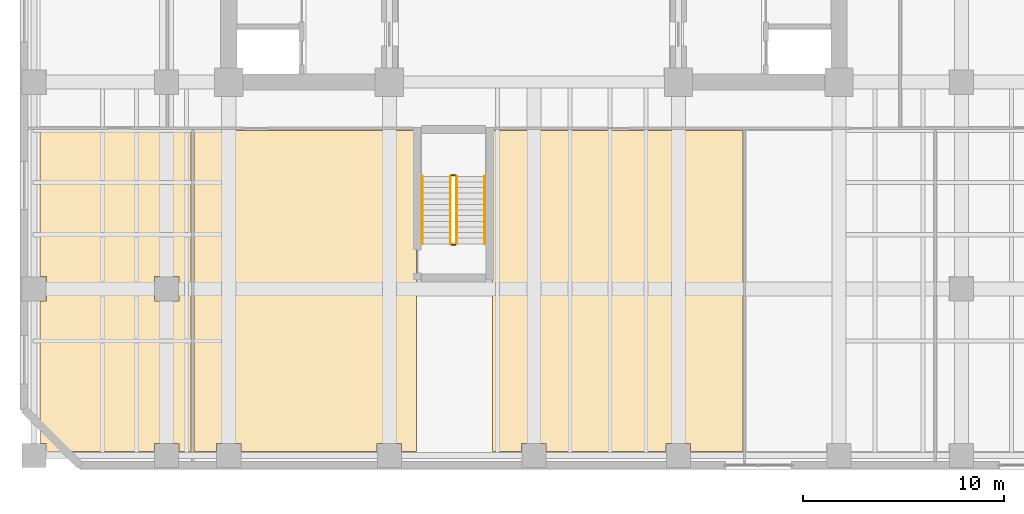
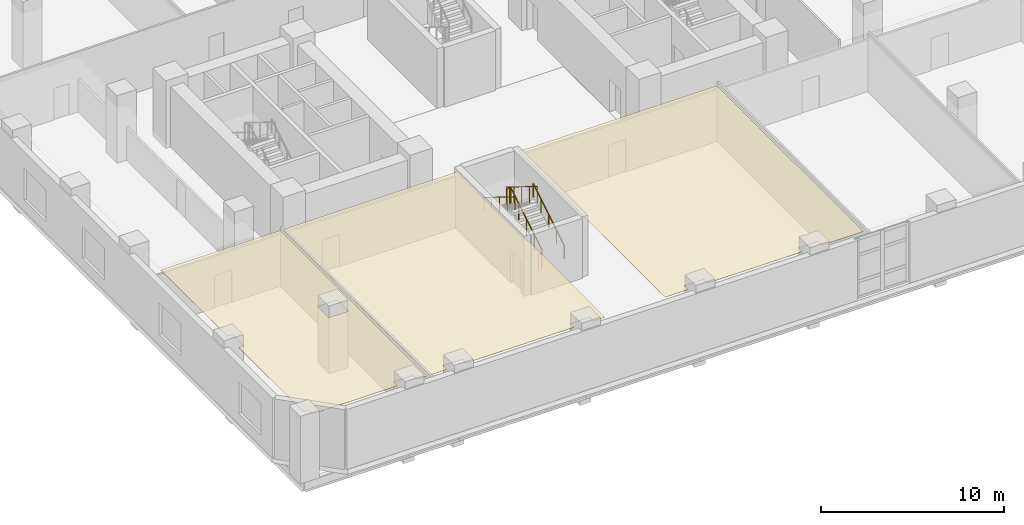
# One storey, part 10 of 15: 6 railings, 3 coverings.
"""IFC4 building model written with IfcOpenShell, lengths in metres."""

import ifcopenshell
import ifcopenshell.guid

model = None  # the IFC model being written
_history = None  # IfcOwnerHistory: only IFC2X3 demands one
_inside = {}  # id of a spatial element -> (the spatial element, [elements in it])
_under = {}  # id of a project, library or spatial element -> (it, [spatial elements below it])
_declared = {}  # id of a project -> (the project, [libraries it declares])
_typed = {}  # id of a type object -> (the type object, [elements of that type])
_made_of = {}  # id of a material, layer set ... -> (it, [elements and type objects made of it])


def new_model(schema):
    """Start an empty IFC model of exactly this schema.

    Asked for "IFC4X3", IfcOpenShell would pick the latest addendum, in which some entities
    have other attributes; the version numbers below select the first issue.
    IFC2X3 requires an IfcOwnerHistory on every rooted entity: one is made here for all.
    """
    global model, _history
    if schema == "IFC4X3":
        model = ifcopenshell.file(schema_version=(4, 3, 0, 0))
    else:
        model = ifcopenshell.file(schema=schema)
    _inside.clear()
    _under.clear()
    _declared.clear()
    _typed.clear()
    _made_of.clear()
    _history = None
    if model.schema == "IFC2X3":
        org = make("IfcOrganization", Name="unknown")
        user = make(
            "IfcPersonAndOrganization",
            ThePerson=make("IfcPerson", FamilyName="unknown"),
            TheOrganization=org,
        )
        app = make(
            "IfcApplication",
            ApplicationDeveloper=org,
            Version="unknown",
            ApplicationFullName="unknown",
            ApplicationIdentifier="unknown",
        )
        _history = make(
            "IfcOwnerHistory",
            OwningUser=user,
            OwningApplication=app,
            ChangeAction="ADDED",
            CreationDate=0,
        )
    return model


def make(cls, **values):
    """One entity of the class cls with the attributes given. An attribute that is None is left unset."""
    return model.create_entity(
        cls, **{name: value for name, value in values.items() if value is not None}
    )


def rooted(cls, **values):
    """An entity with a GlobalId (a new one), such as an element, a storey or a relation."""
    return make(cls, GlobalId=ifcopenshell.guid.new(), OwnerHistory=_history, **values)


def si_unit(unit_type, name, prefix=None):
    """IfcSIUnit, for example si_unit("LENGTHUNIT", "METRE", prefix="MILLI")."""
    return make("IfcSIUnit", UnitType=unit_type, Prefix=prefix, Name=name)


def assignment(units):
    """IfcUnitAssignment: the units of a project."""
    return None if units is None else make("IfcUnitAssignment", Units=units)


def point(xyz):
    """IfcCartesianPoint."""
    return None if xyz is None else make("IfcCartesianPoint", Coordinates=xyz)


def direction(xyz):
    """IfcDirection."""
    return None if xyz is None else make("IfcDirection", DirectionRatios=xyz)


def frame(location, z_axis=None, x_axis=None):
    """IfcAxis2Placement3D, a coordinate frame: its origin and axes. An axis left out is left unset."""
    return make(
        "IfcAxis2Placement3D",
        Location=point(location),
        Axis=direction(z_axis),
        RefDirection=direction(x_axis),
    )


def frame_2d(location, x_axis=None):
    """IfcAxis2Placement2D, a coordinate frame in the plane: its origin and x axis."""
    return make(
        "IfcAxis2Placement2D", Location=point(location), RefDirection=direction(x_axis)
    )


def origin():
    """The frame at (0, 0, 0) with its axes left unset."""
    return frame((0.0, 0.0, 0.0))


def origin_2d():
    """The frame at (0, 0) in the plane with its x axis left unset."""
    return frame_2d((0.0, 0.0))


def place(relative_to, where):
    """IfcLocalPlacement: puts the frame where relative to a parent placement (None: the world)."""
    return make(
        "IfcLocalPlacement", PlacementRelTo=relative_to, RelativePlacement=where
    )


def context(
    kind, dimensions, precision=None, world=None, true_north=None, identifier=None
):
    """IfcGeometricRepresentationContext, for example the 3D "Model" context."""
    return make(
        "IfcGeometricRepresentationContext",
        ContextIdentifier=identifier,
        ContextType=kind,
        CoordinateSpaceDimension=dimensions,
        Precision=precision,
        WorldCoordinateSystem=world,
        TrueNorth=true_north,
    )


def subcontext(parent, identifier, kind, view, scale=None):
    """IfcGeometricRepresentationSubContext, for example "Body" below "Model"."""
    return make(
        "IfcGeometricRepresentationSubContext",
        ContextIdentifier=identifier,
        ContextType=kind,
        ParentContext=parent,
        TargetScale=scale,
        TargetView=view,
    )


def project(units=None, contexts=None):
    """IfcProject with its units and contexts."""
    return rooted(
        "IfcProject",
        Name="project",
        RepresentationContexts=contexts,
        UnitsInContext=assignment(units),
    )


def spatial(cls, under=None, at=None, **own):
    """A site, building, storey or space (cls), placed at a placement, below another one or the project."""
    s = rooted(cls, ObjectPlacement=at, **own)
    if under is not None:
        _under.setdefault(under.id(), (under, []))[1].append(s)
    return s


def polyline(points):
    """IfcPolyline through the points."""
    return make("IfcPolyline", Points=[point(p) for p in points])


def profile(cls, at=None, kind="AREA", **sizes):
    """A parametric profile (cls). Its sizes go by their IFC names, for example OverallWidth=200.0."""
    return make(cls, ProfileType=kind, Position=at, **sizes)


def circle(**sizes):
    """IfcCircleProfileDef."""
    return profile("IfcCircleProfileDef", **sizes)


def outline(outer, holes=None, kind="AREA"):
    """IfcArbitraryClosedProfileDef: a profile drawn as a closed curve; with holes, ...WithVoids."""
    if holes is None:
        return make("IfcArbitraryClosedProfileDef", ProfileType=kind, OuterCurve=outer)
    return make(
        "IfcArbitraryProfileDefWithVoids",
        ProfileType=kind,
        OuterCurve=outer,
        InnerCurves=holes,
    )


def extrude(swept, where, along, depth):
    """IfcExtrudedAreaSolid: the profile swept, set in the frame where, extruded along a direction by depth."""
    return make(
        "IfcExtrudedAreaSolid",
        SweptArea=swept,
        Position=where,
        ExtrudedDirection=direction(along),
        Depth=depth,
    )


def shape(context_of_items, identifier, shape_type, items):
    """IfcShapeRepresentation: the items that make up one representation, for example the "Body"."""
    return make(
        "IfcShapeRepresentation",
        ContextOfItems=context_of_items,
        RepresentationIdentifier=identifier,
        RepresentationType=shape_type,
        Items=items,
    )


def material(Name=None, Category=None):
    """IfcMaterial."""
    return make("IfcMaterial", Name=Name, Category=Category)


def layer(
    of_material, thickness, ventilated=None, Name=None, Category=None, Priority=None
):
    """IfcMaterialLayer: one layer of a wall or slab, of a material (None: an air gap)."""
    return make(
        "IfcMaterialLayer",
        Material=of_material,
        LayerThickness=thickness,
        IsVentilated=ventilated,
        Name=Name,
        Category=Category,
        Priority=Priority,
    )


def layer_set(layers, Name=None):
    """IfcMaterialLayerSet."""
    return make("IfcMaterialLayerSet", MaterialLayers=layers, LayerSetName=Name)


def made_of(thing, what):
    """Note that an element or type object is made of a material, layer set ...; save() writes the relation."""
    if what is not None:
        _made_of.setdefault(what.id(), (what, []))[1].append(thing)
    return thing


def type_object(cls, material=None, **own):
    """A type object (cls), such as IfcWallType, which elements share."""
    return made_of(rooted(cls, **own), material)


def element(
    cls,
    number,
    at=None,
    inside=None,
    cuts=None,
    type_object=None,
    material=None,
    context=None,
    identifier="Body",
    shape_type=None,
    held_by="IfcProductDefinitionShape",
    body=None,
    shapes=None,
    **own,
):
    """One element of the class cls, such as IfcWall. Its Tag is "e" and its number.

    at: its placement. inside: the storey or other place that contains it. cuts: it is an
    opening in that element (IfcRelVoidsElement). A single representation is given by context,
    identifier, shape_type and body (its items); several are given by shapes. held_by: the class
    of the entity that holds the representations. save() writes the other relations.
    """
    e = rooted(cls, Tag="e%d" % number, ObjectPlacement=at, **own)
    if body is not None:
        shapes = [shape(context, identifier, shape_type, body)]
    if shapes is not None:
        e.Representation = make(held_by, Representations=shapes)
    if inside is not None:
        _inside.setdefault(inside.id(), (inside, []))[1].append(e)
    if cuts is not None:
        rooted(
            "IfcRelVoidsElement", RelatingBuildingElement=cuts, RelatedOpeningElement=e
        )
    if type_object is not None:
        _typed.setdefault(type_object.id(), (type_object, []))[1].append(e)
    return made_of(e, material)


def aggregate(whole, parts):
    """IfcRelAggregates: a whole, such as a stair, and the parts it consists of."""
    return rooted("IfcRelAggregates", RelatingObject=whole, RelatedObjects=parts)


def save(model, path):
    """Write the relations noted so far, then the file.

    IfcRelAggregates (storeys below a building ...), IfcRelContainedInSpatialStructure (elements
    in a storey), IfcRelDefinesByType, IfcRelAssociatesMaterial and IfcRelDeclares: one each for
    every whole, place, type object, material and project.
    """
    for whole, parts in _under.values():
        aggregate(whole, parts)
    for where, things in _inside.values():
        rooted(
            "IfcRelContainedInSpatialStructure",
            RelatedElements=things,
            RelatingStructure=where,
        )
    for kind, things in _typed.values():
        rooted("IfcRelDefinesByType", RelatedObjects=things, RelatingType=kind)
    for what, things in _made_of.values():
        rooted("IfcRelAssociatesMaterial", RelatedObjects=things, RelatingMaterial=what)
    for by, libraries in _declared.values():
        rooted("IfcRelDeclares", RelatingContext=by, RelatedDefinitions=libraries)
    model.write(path)


model = new_model("IFC4")

# Units and contexts
model_context = context("Model", 3, precision=1e-05, world=origin(), true_north=direction((0.0, 1.0)))
body_context = subcontext(model_context, "Body", "Model", "MODEL_VIEW")
ifc_project = project(units=[si_unit("LENGTHUNIT", "METRE"), si_unit("AREAUNIT", "SQUARE_METRE"), si_unit("VOLUMEUNIT", "CUBIC_METRE"), si_unit("PLANEANGLEUNIT", "RADIAN"), si_unit("MASSUNIT", "GRAM", prefix="KILO")], contexts=[model_context])

# Site, building, storey
site_placement = place(None, origin())
site = spatial("IfcSite", under=ifc_project, at=site_placement, CompositionType="ELEMENT")
building_placement = place(site_placement, origin())
building = spatial("IfcBuilding", under=site, at=building_placement, Name="Kranthara Brick Stack", CompositionType="ELEMENT")
storey_placement = place(building_placement, frame((0.0, 0.0, 14.39990234375)))
storey = spatial("IfcBuildingStorey", under=building, at=storey_placement, Name="L03", CompositionType="ELEMENT", Elevation=14.39990234375)

# Coverings
ifc_material_1 = material(Name="Perforated mineral-fibre acoustic ceiling tile", Category="other")
ifc_layer = layer(ifc_material_1, 0.02490234375)
ifc_layer_set = layer_set([ifc_layer], Name="Perforated mineral-fibre acoustic ceiling tile")
covering_type = type_object("IfcCoveringType", Name="COV-CEIL-ACOUSTIC", PredefinedType="CEILING", material=ifc_layer_set)
covering_1_placement = place(storey_placement, frame((0.0, 0.0, 3.72998046875)))
element("IfcCovering", 1, at=covering_1_placement, inside=storey, type_object=covering_type, Name="L03 Design Symposium Hall Acoustic Ceiling", PredefinedType="CEILING", context=body_context, shape_type="SweptSolid", body=[
    extrude(outline(polyline([(10.31005859375, 2.39990234375), (10.31005859375, 2.81005859375), (9.090087890625, 2.81005859375), (9.090087890625, 2.39990234375), (3.7099609375, 2.39990234375), (3.7099609375, 2.81005859375), (3.39990234375, 2.81005859375), (3.39990234375, 9.889892578125), (3.7099609375, 9.889892578125), (3.7099609375, 11.110107421875), (3.39990234375, 11.110107421875), (3.39990234375, 18.39990234375), (10.919921875, 18.39990234375), (10.919921875, 2.39990234375), (10.31005859375, 2.39990234375)]), holes=[polyline([(10.31005859375, 11.110107421875), (9.090087890625, 11.110107421875), (9.090087890625, 9.889892578125), (10.31005859375, 9.889892578125), (10.31005859375, 11.110107421875)])]), origin(), (0.0, 0.0, 1.0), 0.025146484375),
])
covering_2_placement = place(storey_placement, frame((0.0, 0.0, 3.72998046875)))
element("IfcCovering", 2, at=covering_2_placement, inside=storey, type_object=covering_type, Name="L03 Training Classroom Acoustic Ceiling", PredefinedType="CEILING", context=body_context, shape_type="SweptSolid", body=[
    extrude(outline(polyline([(11.080078125, 18.39990234375), (22.14990234375, 18.39990234375), (22.14990234375, 2.39990234375), (21.409912109375, 2.39990234375), (21.409912109375, 2.81005859375), (20.18994140625, 2.81005859375), (20.18994140625, 2.39990234375), (13.409912109375, 2.39990234375), (13.409912109375, 2.81005859375), (12.18994140625, 2.81005859375), (12.18994140625, 2.39990234375), (11.080078125, 2.39990234375), (11.080078125, 18.39990234375)])), origin(), (0.0, 0.0, 1.0), 0.025146484375),
])
covering_3_placement = place(storey_placement, frame((0.0, 0.0, 3.72998046875)))
element("IfcCovering", 3, at=covering_3_placement, inside=storey, type_object=covering_type, Name="L03 Client Dining Salon Acoustic Ceiling", PredefinedType="CEILING", context=body_context, shape_type="SweptSolid", body=[
    extrude(outline(polyline([(25.929931640625, 18.39990234375), (38.419921875, 18.39990234375), (38.419921875, 2.39990234375), (35.81005859375, 2.39990234375), (35.81005859375, 2.81005859375), (34.590087890625, 2.81005859375), (34.590087890625, 2.39990234375), (28.610107421875, 2.39990234375), (28.610107421875, 2.81005859375), (27.389892578125, 2.81005859375), (27.389892578125, 2.39990234375), (25.929931640625, 2.39990234375), (25.929931640625, 18.39990234375)])), origin(), (0.0, 0.0, 1.0), 0.025146484375),
])

# Railings
ifc_material_2 = material(Name="Painted galvanized steel stair guardrail", Category="steel")
railing_type_1 = type_object("IfcRailingType", Name="RL-STAIR-GUARD-1100", PredefinedType="GUARDRAIL", material=ifc_material_2)
railing_1_placement = place(storey_placement, frame((24.14990234375, 12.75, 0.173095703125)))
element("IfcRailing", 4, at=railing_1_placement, inside=storey, type_object=railing_type_1, Name="L03 ST03 stair guard 1", PredefinedType="GUARDRAIL", context=body_context, shape_type="SweptSolid", body=[
    extrude(circle(Radius=0.02392578125, at=origin_2d()), frame((0.0, 0.0, 1.076171875), z_axis=(0.0, 0.850623216509, 0.525775754039), x_axis=(-1.0, 0.0, 0.0)), (0.0, 0.0, 1.0), 3.9501953125),
    extrude(circle(Radius=0.02099609375, at=origin_2d()), origin(), (0.0, 0.0, 1.0), 1.052001953125),
    extrude(circle(Radius=0.02099609375, at=origin_2d()), frame((0.0, 0.840087890625, 0.519287109375)), (0.0, 0.0, 1.0), 1.052001953125),
    extrude(circle(Radius=0.02099609375, at=origin_2d()), frame((0.0, 1.68017578125, 1.03857421875)), (0.0, 0.0, 1.0), 1.052001953125),
    extrude(circle(Radius=0.02099609375, at=origin_2d()), frame((0.0, 2.52001953125, 1.5576171875)), (0.0, 0.0, 1.0), 1.052001953125),
    extrude(circle(Radius=0.02099609375, at=origin_2d()), frame((0.0, 3.360107421875, 2.076904296875)), (0.0, 0.0, 1.0), 1.052001953125),
])
railing_2_placement = place(storey_placement, frame((24.10009765625, 16.159912109375, 2.25)))
element("IfcRailing", 5, at=railing_2_placement, inside=storey, type_object=railing_type_1, Name="L03 ST03 stair guard 2", PredefinedType="GUARDRAIL", context=body_context, shape_type="SweptSolid", body=[
    extrude(circle(Radius=0.02392578125, at=origin_2d()), frame((0.0, 0.0, 1.076171875), z_axis=(-1.0, 0.0, 0.0), x_axis=(0.0, -1.0, 0.0)), (0.0, 0.0, 1.0), 0.2001953125),
    extrude(circle(Radius=0.02099609375, at=origin_2d()), origin(), (0.0, 0.0, 1.0), 1.052001953125),
    extrude(circle(Radius=0.02099609375, at=origin_2d()), frame((-0.2001953125, 0.0, 0.0)), (0.0, 0.0, 1.0), 1.052001953125),
])
railing_3_placement = place(storey_placement, frame((23.85009765625, 16.110107421875, 2.423095703125)))
element("IfcRailing", 6, at=railing_3_placement, inside=storey, type_object=railing_type_1, Name="L03 ST03 stair guard 3", PredefinedType="GUARDRAIL", context=body_context, shape_type="SweptSolid", body=[
    extrude(circle(Radius=0.02392578125, at=origin_2d()), frame((0.0, 0.0, 1.076171875), z_axis=(0.0, -0.850623216509, 0.525775754039), x_axis=(1.0, 0.0, 0.0)), (0.0, 0.0, 1.0), 3.9501953125),
    extrude(circle(Radius=0.02099609375, at=origin_2d()), origin(), (0.0, 0.0, 1.0), 1.052001953125),
    extrude(circle(Radius=0.02099609375, at=origin_2d()), frame((0.0, -0.840087890625, 0.519287109375)), (0.0, 0.0, 1.0), 1.052001953125),
    extrude(circle(Radius=0.02099609375, at=origin_2d()), frame((0.0, -1.68017578125, 1.03857421875)), (0.0, 0.0, 1.0), 1.052001953125),
    extrude(circle(Radius=0.02099609375, at=origin_2d()), frame((0.0, -2.52001953125, 1.5576171875)), (0.0, 0.0, 1.0), 1.052001953125),
    extrude(circle(Radius=0.02099609375, at=origin_2d()), frame((0.0, -3.360107421875, 2.076904296875)), (0.0, 0.0, 1.0), 1.052001953125),
])
railing_4_placement = place(storey_placement, frame((24.10009765625, 12.699951171875, 0.0)))
element("IfcRailing", 7, at=railing_4_placement, inside=storey, type_object=railing_type_1, Name="L03 ST03 stair guard 4", PredefinedType="GUARDRAIL", context=body_context, shape_type="SweptSolid", body=[
    extrude(circle(Radius=0.02392578125, at=origin_2d()), frame((0.0, 0.0, 1.076171875), z_axis=(-1.0, 0.0, 0.0), x_axis=(0.0, -1.0, 0.0)), (0.0, 0.0, 1.0), 0.2001953125),
    extrude(circle(Radius=0.02099609375, at=origin_2d()), origin(), (0.0, 0.0, 1.0), 1.052001953125),
    extrude(circle(Radius=0.02099609375, at=origin_2d()), frame((-0.2001953125, 0.0, 0.0)), (0.0, 0.0, 1.0), 1.052001953125),
])
ifc_material_3 = material(Name="Brushed stainless steel tubular handrail", Category="steel")
railing_type_2 = type_object("IfcRailingType", Name="RL-STAIR-HAND-900", PredefinedType="HANDRAIL", material=ifc_material_3)
railing_5_placement = place(storey_placement, frame((25.550048828125, 12.75, 0.173095703125)))
element("IfcRailing", 8, at=railing_5_placement, inside=storey, type_object=railing_type_2, Name="L03 ST03 stair handrail 1", PredefinedType="HANDRAIL", context=body_context, shape_type="SweptSolid", body=[
    extrude(circle(Radius=0.02392578125, at=origin_2d()), frame((0.0, 0.0, 0.8759765625), z_axis=(0.0, 0.850623216509, 0.525775754039), x_axis=(-1.0, 0.0, 0.0)), (0.0, 0.0, 1.0), 3.9501953125),
    extrude(circle(Radius=0.02099609375, at=origin_2d()), origin(), (0.0, 0.0, 1.0), 0.851806640625),
    extrude(circle(Radius=0.02099609375, at=origin_2d()), frame((0.0, 0.840087890625, 0.519287109375)), (0.0, 0.0, 1.0), 0.851806640625),
    extrude(circle(Radius=0.02099609375, at=origin_2d()), frame((0.0, 1.68017578125, 1.03857421875)), (0.0, 0.0, 1.0), 0.851806640625),
    extrude(circle(Radius=0.02099609375, at=origin_2d()), frame((0.0, 2.52001953125, 1.5576171875)), (0.0, 0.0, 1.0), 0.851806640625),
    extrude(circle(Radius=0.02099609375, at=origin_2d()), frame((0.0, 3.360107421875, 2.076904296875)), (0.0, 0.0, 1.0), 0.851806640625),
])
railing_6_placement = place(storey_placement, frame((22.449951171875, 16.110107421875, 2.423095703125)))
element("IfcRailing", 9, at=railing_6_placement, inside=storey, type_object=railing_type_2, Name="L03 ST03 stair handrail 2", PredefinedType="HANDRAIL", context=body_context, shape_type="SweptSolid", body=[
    extrude(circle(Radius=0.02392578125, at=origin_2d()), frame((0.0, 0.0, 0.8759765625), z_axis=(0.0, -0.850623216509, 0.525775754039), x_axis=(1.0, 0.0, 0.0)), (0.0, 0.0, 1.0), 3.9501953125),
    extrude(circle(Radius=0.02099609375, at=origin_2d()), origin(), (0.0, 0.0, 1.0), 0.851806640625),
    extrude(circle(Radius=0.02099609375, at=origin_2d()), frame((0.0, -0.840087890625, 0.519287109375)), (0.0, 0.0, 1.0), 0.851806640625),
    extrude(circle(Radius=0.02099609375, at=origin_2d()), frame((0.0, -1.68017578125, 1.03857421875)), (0.0, 0.0, 1.0), 0.851806640625),
    extrude(circle(Radius=0.02099609375, at=origin_2d()), frame((0.0, -2.52001953125, 1.5576171875)), (0.0, 0.0, 1.0), 0.851806640625),
    extrude(circle(Radius=0.02099609375, at=origin_2d()), frame((0.0, -3.360107421875, 2.076904296875)), (0.0, 0.0, 1.0), 0.851806640625),
])

save(model, "model.ifc")
